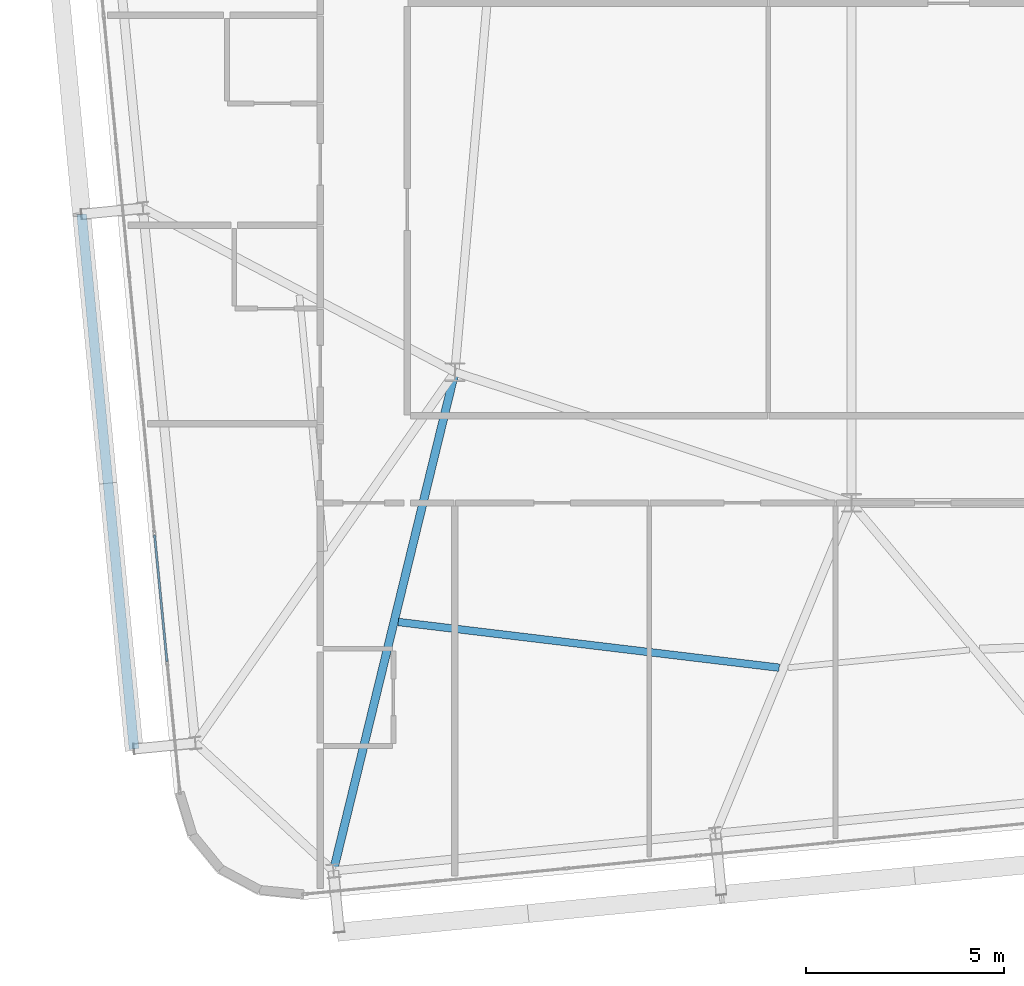
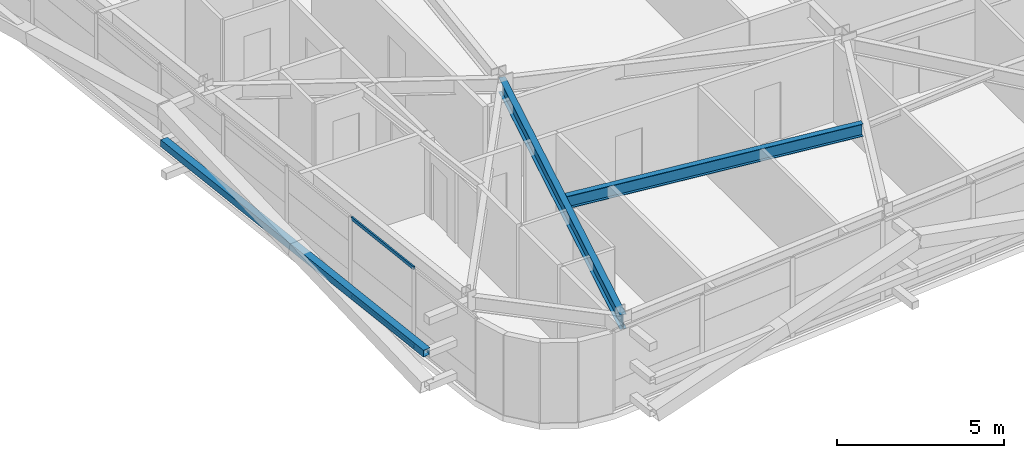
# One storey, part 7 of 53: 3 members, 2 beams, 1 element without a shape of its own.
"""IFC4 building model written with IfcOpenShell, lengths in metres."""

from ifc_helpers import new_model, si_unit, direction, frame, origin, origin_2d, place, context, subcontext, project, spatial, hollow_rectangle, i_section, extrude, source, transform, mapped, material, layer, layer_set, material_profile, profile_set, type_object, element, aggregate, save


model = new_model("IFC4")

# Units and contexts
model_context = context("Model", 3, precision=1e-05, world=origin(), true_north=direction((0.0, 1.0)))
body_context = subcontext(model_context, "Body", "Model", "MODEL_VIEW")
ifc_project = project(units=[si_unit("LENGTHUNIT", "METRE"), si_unit("AREAUNIT", "SQUARE_METRE"), si_unit("VOLUMEUNIT", "CUBIC_METRE"), si_unit("PLANEANGLEUNIT", "RADIAN"), si_unit("MASSUNIT", "GRAM", prefix="KILO")], contexts=[model_context])

# Site, building, storey
site_placement = place(None, origin())
site = spatial("IfcSite", under=ifc_project, at=site_placement, CompositionType="ELEMENT")
building_placement = place(site_placement, origin())
building = spatial("IfcBuilding", under=site, at=building_placement, Name="Taldren Reach Tower", CompositionType="ELEMENT")
storey_placement = place(building_placement, frame((0.0, 0.0, 68.25)))
storey = spatial("IfcBuildingStorey", under=building, at=storey_placement, Name="L20", CompositionType="ELEMENT", Elevation=68.25)

# Beams
ifc_material_1 = material(Name="Steel Gr 350 (350PLUS)", Category="steel")
ifc_material_profile_1 = material_profile(ifc_material_1, i_section(OverallWidth=0.208984375, OverallDepth=0.532958984375, WebThickness=0.01025390625, FlangeThickness=0.015625, at=origin_2d()), Name="530UB92.4")
ifc_profile_set_1 = profile_set([ifc_material_profile_1], Name="Steel Gr 350 (350PLUS)")
beam_type_1 = type_object("IfcBeamType", Name="BM-UB530A", PredefinedType="BEAM", material=ifc_profile_set_1)
shared_shape_1 = source(origin(), body_context, "Body", "SweptSolid", [
    extrude(i_section(OverallWidth=0.208984375, OverallDepth=0.532958984375, WebThickness=0.01025390625, FlangeThickness=0.015625, at=origin_2d()), origin(), (0.0, 0.0, 1.0), 12.947998046875),
])
beam_1_placement = place(storey_placement, frame((18.0, 12.5, 2.66357421875), z_axis=(-0.236786022782, -0.971561824803, 0.0), x_axis=(0.971561824803, -0.236786022782, 0.0)))
element("IfcBeam", 1, at=beam_1_placement, inside=storey, type_object=beam_type_1, Name="Primary floor girder B2-S1 L20", PredefinedType="BEAM", context=body_context, shape_type="MappedRepresentation", body=[
    mapped(shared_shape_1, transform((0.0, 0.0, 0.0), scale=1.0)),
])
ifc_material_profile_2 = material_profile(ifc_material_1, i_section(OverallWidth=0.19091796875, OverallDepth=0.4599609375, WebThickness=0.010009765625, FlangeThickness=0.01611328125, at=origin_2d()), Name="460UB82.1")
ifc_profile_set_2 = profile_set([ifc_material_profile_2], Name="Steel Gr 350 (350PLUS)")
beam_type_2 = type_object("IfcBeamType", Name="BM-UB460A", PredefinedType="BEAM", material=ifc_profile_set_2)
shared_shape_2 = source(origin(), body_context, "Body", "SweptSolid", [
    extrude(i_section(OverallWidth=0.19091796875, OverallDepth=0.4599609375, WebThickness=0.010009765625, FlangeThickness=0.01611328125, at=origin_2d()), origin(), (0.0, 0.0, 1.0), 9.673583984375),
])
beam_2_placement = place(storey_placement, frame((16.571533203125, 6.197509765625, 2.699951171875), z_axis=(0.992879584922, -0.119122331431, 0.0), x_axis=(0.119122331431, 0.992879584922, 0.0)))
element("IfcBeam", 2, at=beam_2_placement, inside=storey, type_object=beam_type_2, Name="Secondary floor beam B2 J1 L20", PredefinedType="BEAM", context=body_context, shape_type="MappedRepresentation", body=[
    mapped(shared_shape_2, transform((0.0, 0.0, 0.0), scale=1.0)),
])

# Member
ifc_material_2 = material(Name="Steel Gr 350 (C350L0)", Category="steel")
ifc_material_profile_3 = material_profile(ifc_material_2, hollow_rectangle(XDim=0.25, YDim=0.25, WallThickness=0.010009765625, at=origin_2d()), Name="250x250x10.0SHS")
ifc_profile_set_3 = profile_set([ifc_material_profile_3], Name="Steel Gr 350 (C350L0)")
member_type_1 = type_object("IfcMemberType", Name="MB-POST250", PredefinedType="POST", material=ifc_profile_set_3)
shared_shape_3 = source(origin(), body_context, "Body", "SweptSolid", [
    extrude(hollow_rectangle(XDim=0.25, YDim=0.25, WallThickness=0.010009765625, at=origin_2d()), origin(), (0.0, 0.0, 1.0), 13.5498046875),
])
member_1_placement = place(storey_placement, frame((9.91015625, 2.99462890625, 1.43505859375), z_axis=(-0.097585771221, 0.995227118428, 0.0), x_axis=(-0.995227118428, -0.097585771221, 0.0)))
element("IfcMember", 3, at=member_1_placement, inside=storey, type_object=member_type_1, Name="Exoskeleton mid-height ring chord B2-W1 L20", PredefinedType="POST", context=body_context, shape_type="MappedRepresentation", body=[
    mapped(shared_shape_3, transform((0.0, 0.0, 0.0), scale=1.0)),
])

# Curtain wall, members
ifc_material_3 = material(Name="Aluminium and Low-E Glass Unitised System", Category="aluminium")
ifc_layer = layer(ifc_material_3, 0.159912109375)
ifc_layer_set = layer_set([ifc_layer], Name="Aluminium and Low-E Glass Unitised System")
curtain_wall_type = type_object("IfcCurtainWallType", Name="CW-SYS-3", PredefinedType="NOTDEFINED", material=ifc_layer_set)
curtain_wall_placement = place(storey_placement, origin())
curtain_wall = element("IfcCurtainWall", 4, at=curtain_wall_placement, inside=storey, type_object=curtain_wall_type, Name="Unitised curtain wall CW-L20-W", PredefinedType="NOTDEFINED")
ifc_material_4 = material(Name="Anodised Aluminium 6063-T6", Category="aluminium")
ifc_material_profile_4 = material_profile(ifc_material_4, hollow_rectangle(XDim=0.054931640625, YDim=0.1201171875, WallThickness=0.0029296875, at=origin_2d()), Name="ALU-120x55x3RHS")
ifc_profile_set_4 = profile_set([ifc_material_profile_4], Name="Anodised Aluminium 6063-T6")
member_type_2 = type_object("IfcMemberType", Name="CW-TRN-135", PredefinedType="USERDEFINED", material=ifc_profile_set_4)
shared_shape_4 = source(origin(), body_context, "Body", "SweptSolid", [
    extrude(hollow_rectangle(XDim=0.054931640625, YDim=0.1201171875, WallThickness=0.0029296875, at=origin_2d()), origin(), (0.0, 0.0, 1.0), 3.212646484375),
])
member_2_placement = place(storey_placement, frame((10.42578125, 8.3935546875, 0.027587890625), z_axis=(0.097577327663, -0.995227946315, 0.0), x_axis=(0.995227946315, 0.097577327663, 0.0)))
member_2 = element("IfcMember", 5, at=member_2_placement, type_object=member_type_2, Name="CW-3 transom 8.1", ObjectType="TRANSOM", PredefinedType="USERDEFINED", context=body_context, shape_type="MappedRepresentation", body=[
    mapped(shared_shape_4, transform((0.0, 0.0, 0.0), scale=1.0)),
])
member_3_placement = place(storey_placement, frame((10.42578125, 8.3935546875, 2.902587890625), z_axis=(0.097577327663, -0.995227946315, 0.0), x_axis=(0.995227946315, 0.097577327663, 0.0)))
member_3 = element("IfcMember", 6, at=member_3_placement, type_object=member_type_2, Name="CW-3 transom 8.2", ObjectType="TRANSOM", PredefinedType="USERDEFINED", context=body_context, shape_type="MappedRepresentation", body=[
    mapped(shared_shape_4, transform((0.0, 0.0, 0.0), scale=1.0)),
])
aggregate(curtain_wall, [member_2, member_3])

save(model, "model.ifc")
